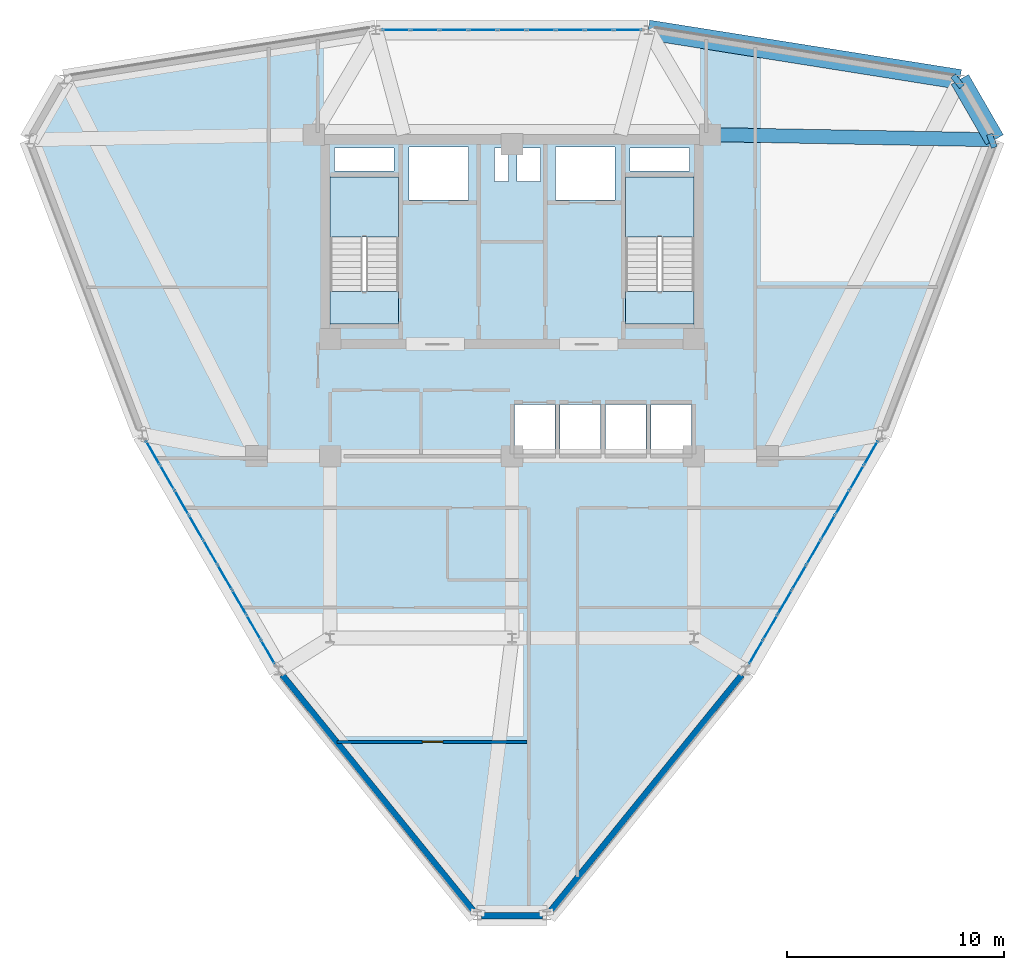
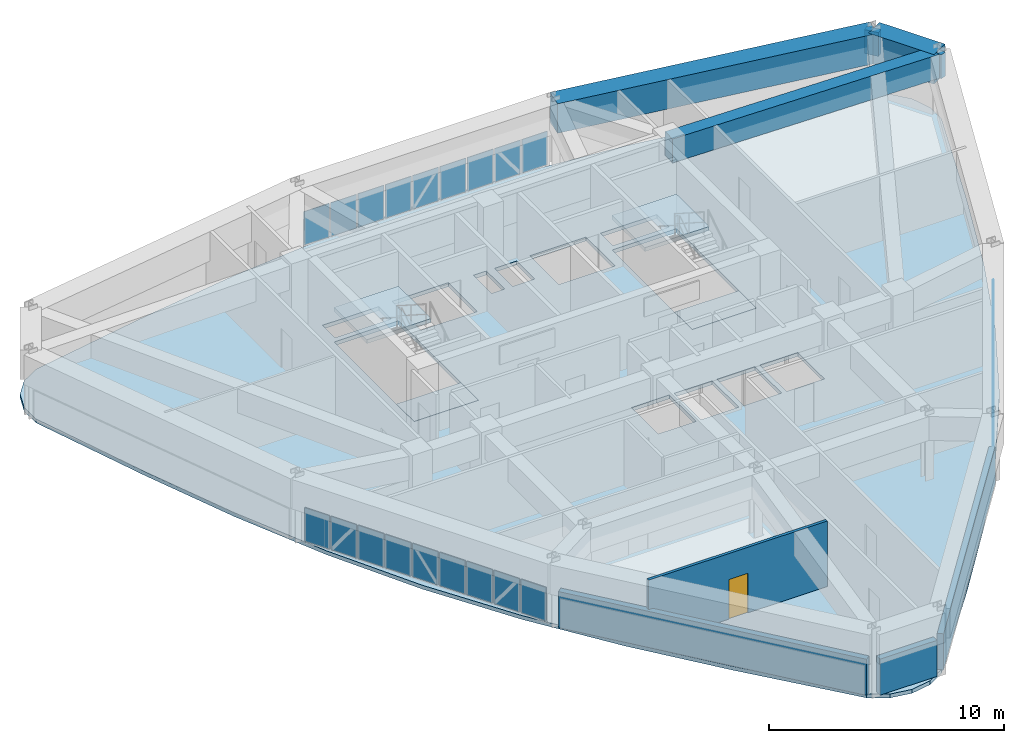
# One storey, part 9 of 14: 27 plates, 5 beams, 5 slabs, 4 walls, 1 door, 1 opening, 5 elements without a shape of their own.
"""IFC4 building model written with IfcOpenShell, lengths in metres."""

from ifc_helpers import new_model, si_unit, derived_unit, direction, frame, frame_2d, origin, origin_2d, place, context, subcontext, project, spatial, polyline, rectangle, outline, extrude, source, transform, mapped, material, layer, layer_set, material_profile, profile_set, type_object, element, fill, aggregate, save


model = new_model("IFC4")

# Units and contexts
model_context = context("Model", 3, precision=1e-05, world=origin(), true_north=direction((0.0, 1.0)))
body_context = subcontext(model_context, "Body", "Model", "MODEL_VIEW")
ifc_project = project(units=[si_unit("LENGTHUNIT", "METRE"), si_unit("AREAUNIT", "SQUARE_METRE"), si_unit("VOLUMEUNIT", "CUBIC_METRE"), si_unit("PLANEANGLEUNIT", "RADIAN"), si_unit("MASSUNIT", "GRAM", prefix="KILO"), derived_unit("THERMALTRANSMITTANCEUNIT", [(si_unit("POWERUNIT", "WATT"), 1), (si_unit("LENGTHUNIT", "METRE"), -2), (si_unit("THERMODYNAMICTEMPERATUREUNIT", "KELVIN"), -1)])], contexts=[model_context])

# Site, building, storey
site_placement = place(None, origin())
site = spatial("IfcSite", under=ifc_project, at=site_placement, CompositionType="ELEMENT")
building_placement = place(site_placement, origin())
building = spatial("IfcBuilding", under=site, at=building_placement, Name="Korsvarv Bourse and Concert Hall", CompositionType="ELEMENT")
storey_placement = place(building_placement, frame((0.0, 0.0, 186.60009765625)))
storey = spatial("IfcBuildingStorey", under=building, at=storey_placement, Name="L48", CompositionType="ELEMENT", Elevation=186.60009765625)

# Beams
ifc_material_1 = material(Name="Concrete C50/60", Category="concrete")
ifc_material_profile_1 = material_profile(ifc_material_1, rectangle(XDim=0.919921875, YDim=1.530029296875, at=origin_2d()), Name="RC-BM 920x1530")
ifc_profile_set_1 = profile_set([ifc_material_profile_1], Name="Concrete C50/60")
beam_type_1 = type_object("IfcBeamType", Name="BM-TR-154", PredefinedType="BEAM", material=ifc_profile_set_1)
shared_shape_1 = source(origin(), body_context, "Body", "SweptSolid", [
    extrude(rectangle(XDim=0.919921875, YDim=1.530029296875, at=origin_2d()), origin(), (0.0, 0.0, 1.0), 3.21533203125),
])
beam_1_placement = place(storey_placement, frame((58.290283203125, 47.012939453125, 2.635009765625), z_axis=(-0.49998535512, 0.866033858845, 0.0), x_axis=(-0.866033858845, -0.49998535512, 0.0)))
element("IfcBeam", 1, at=beam_1_placement, inside=storey, type_object=beam_type_1, Name="L48 beam B-TR6", PredefinedType="BEAM", context=body_context, shape_type="MappedRepresentation", body=[
    mapped(shared_shape_1, transform((0.0, 0.0, 0.0), scale=1.0)),
])
shared_shape_2 = source(origin(), body_context, "Body", "SweptSolid", [
    extrude(rectangle(XDim=0.919921875, YDim=1.530029296875, at=origin_2d()), origin(), (0.0, 0.0, 1.0), 14.573486328125),
])
beam_2_placement = place(storey_placement, frame((56.6826171875, 49.797607421875, 2.635009765625), z_axis=(-0.987635363781, 0.156768581702, 0.0), x_axis=(-0.156768581702, -0.987635363781, 0.0)))
element("IfcBeam", 2, at=beam_2_placement, inside=storey, type_object=beam_type_1, Name="L48 beam B-TR6", PredefinedType="BEAM", context=body_context, shape_type="MappedRepresentation", body=[
    mapped(shared_shape_2, transform((0.0, 0.0, 0.0), scale=1.0)),
])
ifc_material_profile_2 = material_profile(ifc_material_1, rectangle(XDim=0.64990234375, YDim=1.239990234375, at=origin_2d()), Name="RC-BM 650x1240")
ifc_profile_set_2 = profile_set([ifc_material_profile_2], Name="Concrete C50/60")
beam_type_2 = type_object("IfcBeamType", Name="BM-TR-SPN", PredefinedType="BEAM", material=ifc_profile_set_2)
shared_shape_3 = source(origin(), body_context, "Body", "SweptSolid", [
    extrude(rectangle(XDim=0.64990234375, YDim=1.239990234375, at=origin_2d()), origin(), (0.0, 0.0, 1.0), 13.142578125),
])
beam_3_placement = place(storey_placement, frame((58.290283203125, 47.012939453125, 2.77978515625), z_axis=(-0.999837307824, 0.01803767954, 0.0), x_axis=(-0.01803767954, -0.999837307824, 0.0)))
element("IfcBeam", 3, at=beam_3_placement, inside=storey, type_object=beam_type_2, Name="L48 beam B-TRS", PredefinedType="BEAM", context=body_context, shape_type="MappedRepresentation", body=[
    mapped(shared_shape_3, transform((0.0, 0.0, 0.0), scale=1.0)),
])
shared_shape_4 = source(origin(), body_context, "Body", "SweptSolid", [
    extrude(rectangle(XDim=0.64990234375, YDim=1.239990234375, at=origin_2d()), origin(), (0.0, 0.0, 1.0), 0.27880859375),
])
for number, where, z_axis, x_axis, name in (
    (4, (58.290283203125, 47.012939453125, 2.77978515625), (-0.932644158407, -0.36079755236, 0.0), (0.36079755236, -0.932644158407, 0.0), "L48 beam B-TRS"),
    (5, (56.6826171875, 49.797607421875, 2.77978515625), (-0.778385435502, -0.627786678577, 0.0), (0.627786678577, -0.778385435502, 0.0), "L48 beam B-TRS"),
):
    element("IfcBeam", number, at=place(storey_placement, frame(where, z_axis=z_axis, x_axis=x_axis)), inside=storey, type_object=beam_type_2, Name=name, PredefinedType="BEAM", context=body_context, shape_type="MappedRepresentation", body=[
        mapped(shared_shape_4, transform((0.0, 0.0, 0.0), scale=1.0)),
    ])

# Slabs
ifc_material_2 = material(Name="Precast concrete C45/55", Category="concrete")
ifc_layer_1 = layer(ifc_material_2, 0.199951171875)
ifc_layer_set_1 = layer_set([ifc_layer_1], Name="Precast concrete C45/55")
slab_type_1 = type_object("IfcSlabType", Name="SLB-FLND-T", PredefinedType="LANDING", material=ifc_layer_set_1)
slab_1_placement = place(storey_placement, frame((0.0, 0.0, -0.2001953125)))
element("IfcSlab", 6, at=slab_1_placement, inside=storey, type_object=slab_type_1, Name="L48 Stair ST-T1 Floor Landing Slab", PredefinedType="LANDING", context=body_context, shape_type="SweptSolid", body=[
    extrude(outline(polyline([(30.760009765625, 38.5), (30.760009765625, 40.0), (27.60009765625, 40.0), (27.60009765625, 38.5), (30.760009765625, 38.5)])), origin(), (0.0, 0.0, 1.0), 0.2001953125),
])
slab_2_placement = place(storey_placement, frame((0.0, 0.0, -0.2001953125)))
element("IfcSlab", 7, at=slab_2_placement, inside=storey, type_object=slab_type_1, Name="L48 Stair ST-T2 Floor Landing Slab", PredefinedType="LANDING", context=body_context, shape_type="SweptSolid", body=[
    extrude(outline(polyline([(44.39990234375, 38.5), (44.39990234375, 40.0), (41.239990234375, 40.0), (41.239990234375, 38.5), (44.39990234375, 38.5)])), origin(), (0.0, 0.0, 1.0), 0.2001953125),
])

# Stair, slab
stair_type = type_object("IfcStairType", Name="STR-TYPE-04", PredefinedType="HALF_TURN_STAIR", material=ifc_material_2)
stair_1_placement = place(storey_placement, origin())
stair_1 = element("IfcStair", 8, at=stair_1_placement, inside=storey, type_object=stair_type, Name="L48 Tower West Exit Stair ST-T1", PredefinedType="HALF_TURN_STAIR")
ifc_layer_2 = layer(ifc_material_2, 0.199951171875)
ifc_layer_set_2 = layer_set([ifc_layer_2], Name="Precast concrete C45/55")
slab_type_2 = type_object("IfcSlabType", Name="SLB-ST-LND", PredefinedType="LANDING", material=ifc_layer_set_2)
slab_3_placement = place(storey_placement, frame((0.0, 0.0, 1.599853515625)))
slab_3 = element("IfcSlab", 9, at=slab_3_placement, type_object=slab_type_2, Name="ST-T1 landing 1", PredefinedType="LANDING", context=body_context, shape_type="SweptSolid", body=[
    extrude(outline(polyline([(30.760009765625, 42.52001953125), (30.760009765625, 45.300048828125), (27.60009765625, 45.300048828125), (27.60009765625, 42.52001953125), (30.760009765625, 42.52001953125)])), origin(), (0.0, 0.0, 1.0), 0.199951171875),
])
aggregate(stair_1, [slab_3])

stair_2_placement = place(storey_placement, origin())
stair_2 = element("IfcStair", 10, at=stair_2_placement, inside=storey, type_object=stair_type, Name="L48 Tower East Exit Stair ST-T2", PredefinedType="HALF_TURN_STAIR")
slab_4_placement = place(storey_placement, frame((0.0, 0.0, 1.599853515625)))
slab_4 = element("IfcSlab", 11, at=slab_4_placement, type_object=slab_type_2, Name="ST-T2 landing 1", PredefinedType="LANDING", context=body_context, shape_type="SweptSolid", body=[
    extrude(outline(polyline([(44.39990234375, 42.52001953125), (44.39990234375, 45.300048828125), (41.239990234375, 45.300048828125), (41.239990234375, 42.52001953125), (44.39990234375, 42.52001953125)])), origin(), (0.0, 0.0, 1.0), 0.199951171875),
])
aggregate(stair_2, [slab_4])

# Slab
ifc_material_3 = material(Name="Concrete C45/55", Category="concrete")
ifc_layer_3 = layer(ifc_material_3, 0.199951171875)
ifc_layer_set_3 = layer_set([ifc_layer_3], Name="Concrete C45/55")
slab_type_3 = type_object("IfcSlabType", Name="SLB-TW2", PredefinedType="FLOOR", material=ifc_layer_set_3)
slab_5_placement = place(storey_placement, frame((0.0, 0.0, -0.2001953125)))
element("IfcSlab", 12, at=slab_5_placement, inside=storey, type_object=slab_type_3, Name="L48 tower structural floor slab", PredefinedType="FLOOR", context=body_context, shape_type="SweptSolid", body=[
    extrude(outline(polyline([(57.82861328125, 45.6220703125), (56.160888671875, 40.9970703125), (54.38720703125, 36.45849609375), (52.40966796875, 32.057373046875), (50.16259765625, 27.8232421875), (47.619140625, 23.76025390625), (44.79638671875, 19.84716796875), (41.7529296875, 16.04150390625), (38.581298828125, 12.284912109375), (38.57958984375, 12.282958984375), (37.840576171875, 11.402099609375), (36.9794921875, 10.905029296875), (36.0, 10.732421875), (35.0205078125, 10.905029296875), (34.159423828125, 11.402099609375), (33.42041015625, 12.282958984375), (33.418701171875, 12.284912109375), (30.2470703125, 16.04150390625), (27.20361328125, 19.84716796875), (24.380859375, 23.76025390625), (21.83740234375, 27.8232421875), (19.59033203125, 32.057373046875), (17.61279296875, 36.45849609375), (15.839111328125, 40.9970703125), (14.17138671875, 45.6220703125), (14.170654296875, 45.62451171875), (13.77734375, 46.704833984375), (13.77734375, 47.699462890625), (14.117431640625, 48.6337890625), (14.7568359375, 49.395751953125), (15.617919921875, 49.892822265625), (16.75, 50.092529296875), (16.752685546875, 50.093017578125), (21.591796875, 50.96142578125), (26.409423828125, 51.6943359375), (31.209716796875, 52.1826171875), (36.0, 52.353515625), (40.790283203125, 52.1826171875), (45.590576171875, 51.6943359375), (50.408203125, 50.96142578125), (55.247314453125, 50.093017578125), (55.25, 50.092529296875), (56.382080078125, 49.892822265625), (57.2431640625, 49.395751953125), (57.882568359375, 48.6337890625), (58.22265625, 47.699462890625), (58.22265625, 46.704833984375), (57.829345703125, 45.62451171875), (57.82861328125, 45.6220703125)]), holes=[polyline([(30.760009765625, 38.5), (30.760009765625, 45.300048828125), (27.60009765625, 45.300048828125), (27.60009765625, 38.5), (30.760009765625, 38.5)]), polyline([(44.39990234375, 38.5), (44.39990234375, 45.300048828125), (41.239990234375, 45.300048828125), (41.239990234375, 38.5), (44.39990234375, 38.5)]), polyline([(31.239990234375, 44.219970703125), (34.0, 44.219970703125), (34.0, 46.679931640625), (31.239990234375, 46.679931640625), (31.239990234375, 44.219970703125)]), polyline([(38.0, 44.219970703125), (40.760009765625, 44.219970703125), (40.760009765625, 46.679931640625), (38.0, 46.679931640625), (38.0, 44.219970703125)]), polyline([(36.1201171875, 32.52001953125), (37.97998046875, 32.52001953125), (37.97998046875, 34.780029296875), (36.1201171875, 34.780029296875), (36.1201171875, 32.52001953125)]), polyline([(38.219970703125, 32.52001953125), (40.080078125, 32.52001953125), (40.080078125, 34.780029296875), (38.219970703125, 34.780029296875), (38.219970703125, 32.52001953125)]), polyline([(40.320068359375, 32.52001953125), (42.179931640625, 32.52001953125), (42.179931640625, 34.780029296875), (40.320068359375, 34.780029296875), (40.320068359375, 32.52001953125)]), polyline([(42.419921875, 32.52001953125), (44.280029296875, 32.52001953125), (44.280029296875, 34.780029296875), (42.419921875, 34.780029296875), (42.419921875, 32.52001953125)]), polyline([(27.800048828125, 45.56005859375), (30.56005859375, 45.56005859375), (30.56005859375, 46.6201171875), (27.800048828125, 46.6201171875), (27.800048828125, 45.56005859375)]), polyline([(41.43994140625, 45.56005859375), (44.199951171875, 45.56005859375), (44.199951171875, 46.6201171875), (41.43994140625, 46.6201171875), (41.43994140625, 45.56005859375)]), polyline([(35.199951171875, 45.080078125), (35.840087890625, 45.080078125), (35.840087890625, 46.6201171875), (35.199951171875, 46.6201171875), (35.199951171875, 45.080078125)]), polyline([(36.239990234375, 45.080078125), (37.320068359375, 45.080078125), (37.320068359375, 46.6201171875), (36.239990234375, 46.6201171875), (36.239990234375, 45.080078125)])]), origin(), (0.0, 0.0, 1.0), 0.2001953125),
])

# Curtain wall, plates
ifc_material_4 = material(Name="Anodised aluminium and triple low-E glazing", Category="glass")
ifc_layer_4 = layer(ifc_material_4, 0.199951171875)
ifc_layer_set_4 = layer_set([ifc_layer_4], Name="Anodised aluminium and triple low-E glazing")
curtain_wall_type = type_object("IfcCurtainWallType", Name="CW-SYS-3", PredefinedType="NOTDEFINED", material=ifc_layer_set_4)
curtain_wall_1_placement = place(storey_placement, origin())
curtain_wall_1 = element("IfcCurtainWall", 13, at=curtain_wall_1_placement, inside=storey, type_object=curtain_wall_type, Name="L48 CW3 curtain wall CW-L48-F03", PredefinedType="NOTDEFINED")
ifc_material_5 = material(Name="Tempered triple insulated low-E architectural glass", Category="glass")
ifc_layer_5 = layer(ifc_material_5, 0.0380859375)
ifc_layer_set_5 = layer_set([ifc_layer_5], Name="Tempered triple insulated low-E architectural glass")
plate_type_1 = type_object("IfcPlateType", Name="CWP-VIS2", PredefinedType="CURTAIN_PANEL", material=ifc_layer_set_5)
shared_shape_5 = source(origin(), body_context, "Body", "SweptSolid", [
    extrude(rectangle(XDim=1.236328125, YDim=0.0380859375, at=origin_2d()), origin(), (0.0, 0.0, 1.0), 1.739990234375),
])
plate_1_placement = place(storey_placement, frame((41.34814453125, 52.082275390625, 0.06494140625), z_axis=(0.0, 0.0, 1.0), x_axis=(-1.0, 0.0, 0.0)))
plate_1 = element("IfcPlate", 14, at=plate_1_placement, type_object=plate_type_1, Name="CW3 faceted panel 1.1", PredefinedType="CURTAIN_PANEL", context=body_context, shape_type="MappedRepresentation", body=[
    mapped(shared_shape_5, transform((0.0, 0.0, 0.0), scale=1.0)),
])
plate_2_placement = place(storey_placement, frame((30.65185546875, 52.082275390625, 0.06494140625), z_axis=(0.0, 0.0, 1.0), x_axis=(-1.0, 0.0, 0.0)))
plate_2 = element("IfcPlate", 15, at=plate_2_placement, type_object=plate_type_1, Name="CW3 faceted panel 9.1", PredefinedType="CURTAIN_PANEL", context=body_context, shape_type="MappedRepresentation", body=[
    mapped(shared_shape_5, transform((0.0, 0.0, 0.0), scale=1.0)),
])
ifc_material_6 = material(Name="Insulated spandrel glass", Category="glass")
ifc_layer_6 = layer(ifc_material_6, 0.031982421875)
ifc_layer_set_6 = layer_set([ifc_layer_6], Name="Insulated spandrel glass")
plate_type_2 = type_object("IfcPlateType", Name="CWP-SPD1", PredefinedType="CURTAIN_PANEL", material=ifc_layer_set_6)
shared_shape_6 = source(origin(), body_context, "Body", "SweptSolid", [
    extrude(rectangle(XDim=1.271484375, YDim=0.031982421875, at=origin_2d()), origin(), (0.0, 0.0, 1.0), 1.739990234375),
])
plate_3_placement = place(storey_placement, frame((40.024169921875, 52.082275390625, 0.06494140625), z_axis=(0.0, 0.0, 1.0), x_axis=(-1.0, 0.0, 0.0)))
plate_3 = element("IfcPlate", 16, at=plate_3_placement, type_object=plate_type_2, Name="CW3 spandrel shadow-box panel 2.1", PredefinedType="CURTAIN_PANEL", context=body_context, shape_type="MappedRepresentation", body=[
    mapped(shared_shape_6, transform((0.0, 0.0, 0.0), scale=1.0)),
])
plate_4_placement = place(storey_placement, frame((36.0, 52.082275390625, 0.06494140625), z_axis=(0.0, 0.0, 1.0), x_axis=(-1.0, 0.0, 0.0)))
plate_4 = element("IfcPlate", 17, at=plate_4_placement, type_object=plate_type_2, Name="CW3 spandrel shadow-box panel 5.1", PredefinedType="CURTAIN_PANEL", context=body_context, shape_type="MappedRepresentation", body=[
    mapped(shared_shape_6, transform((0.0, 0.0, 0.0), scale=1.0)),
])
plate_5_placement = place(storey_placement, frame((31.975830078125, 52.082275390625, 0.06494140625), z_axis=(0.0, 0.0, 1.0), x_axis=(-1.0, 0.0, 0.0)))
plate_5 = element("IfcPlate", 18, at=plate_5_placement, type_object=plate_type_2, Name="CW3 spandrel shadow-box panel 8.1", PredefinedType="CURTAIN_PANEL", context=body_context, shape_type="MappedRepresentation", body=[
    mapped(shared_shape_6, transform((0.0, 0.0, 0.0), scale=1.0)),
])
shared_shape_7 = source(origin(), body_context, "Body", "SweptSolid", [
    extrude(rectangle(XDim=1.271484375, YDim=0.0380859375, at=origin_2d()), origin(), (0.0, 0.0, 1.0), 1.739990234375),
])
plate_6_placement = place(storey_placement, frame((38.682861328125, 52.082275390625, 0.06494140625), z_axis=(0.0, 0.0, 1.0), x_axis=(-1.0, 0.0, 0.0)))
plate_6 = element("IfcPlate", 19, at=plate_6_placement, type_object=plate_type_1, Name="CW3 faceted panel 3.1", PredefinedType="CURTAIN_PANEL", context=body_context, shape_type="MappedRepresentation", body=[
    mapped(shared_shape_7, transform((0.0, 0.0, 0.0), scale=1.0)),
])
plate_7_placement = place(storey_placement, frame((37.34130859375, 52.082275390625, 0.06494140625), z_axis=(0.0, 0.0, 1.0), x_axis=(-1.0, 0.0, 0.0)))
plate_7 = element("IfcPlate", 20, at=plate_7_placement, type_object=plate_type_1, Name="CW3 faceted panel 4.1", PredefinedType="CURTAIN_PANEL", context=body_context, shape_type="MappedRepresentation", body=[
    mapped(shared_shape_7, transform((0.0, 0.0, 0.0), scale=1.0)),
])
plate_8_placement = place(storey_placement, frame((34.65869140625, 52.082275390625, 0.06494140625), z_axis=(0.0, 0.0, 1.0), x_axis=(-1.0, 0.0, 0.0)))
plate_8 = element("IfcPlate", 21, at=plate_8_placement, type_object=plate_type_1, Name="CW3 faceted panel 6.1", PredefinedType="CURTAIN_PANEL", context=body_context, shape_type="MappedRepresentation", body=[
    mapped(shared_shape_7, transform((0.0, 0.0, 0.0), scale=1.0)),
])
plate_9_placement = place(storey_placement, frame((33.317138671875, 52.082275390625, 0.06494140625), z_axis=(0.0, 0.0, 1.0), x_axis=(-1.0, 0.0, 0.0)))
plate_9 = element("IfcPlate", 22, at=plate_9_placement, type_object=plate_type_1, Name="CW3 faceted panel 7.1", PredefinedType="CURTAIN_PANEL", context=body_context, shape_type="MappedRepresentation", body=[
    mapped(shared_shape_7, transform((0.0, 0.0, 0.0), scale=1.0)),
])
aggregate(curtain_wall_1, [plate_1, plate_3, plate_6, plate_7, plate_4, plate_8, plate_9, plate_5, plate_2])

curtain_wall_2_placement = place(storey_placement, origin())
curtain_wall_2 = element("IfcCurtainWall", 23, at=curtain_wall_2_placement, inside=storey, type_object=curtain_wall_type, Name="L48 CW3 curtain wall CW-L48-F07", PredefinedType="NOTDEFINED")
shared_shape_8 = source(origin(), body_context, "Body", "SweptSolid", [
    extrude(rectangle(XDim=1.226318359375, YDim=0.0380859375, at=origin_2d()), origin(), (0.0, 0.0, 1.0), 1.739990234375),
])
plate_10_placement = place(storey_placement, frame((19.418212890625, 32.555908203125, 0.06494140625), z_axis=(0.0, 0.0, 1.0), x_axis=(0.499994073747, -0.866028825281, 0.0)))
plate_10 = element("IfcPlate", 24, at=plate_10_placement, type_object=plate_type_1, Name="CW3 faceted panel 1.1", PredefinedType="CURTAIN_PANEL", context=body_context, shape_type="MappedRepresentation", body=[
    mapped(shared_shape_8, transform((0.0, 0.0, 0.0), scale=1.0)),
])
plate_11_placement = place(storey_placement, frame((24.726318359375, 23.36181640625, 0.06494140625), z_axis=(0.0, 0.0, 1.0), x_axis=(0.499994073747, -0.866028825281, 0.0)))
plate_11 = element("IfcPlate", 25, at=plate_11_placement, type_object=plate_type_1, Name="CW3 faceted panel 9.1", PredefinedType="CURTAIN_PANEL", context=body_context, shape_type="MappedRepresentation", body=[
    mapped(shared_shape_8, transform((0.0, 0.0, 0.0), scale=1.0)),
])

curtain_wall_3_placement = place(storey_placement, origin())
curtain_wall_3 = element("IfcCurtainWall", 26, at=curtain_wall_3_placement, inside=storey, type_object=curtain_wall_type, Name="L48 CW3 curtain wall CW-L48-F11", PredefinedType="NOTDEFINED")
plate_12_placement = place(storey_placement, frame((47.273681640625, 23.36181640625, 0.06494140625), z_axis=(0.0, 0.0, 1.0), x_axis=(0.499994073747, 0.866028825281, 0.0)))
plate_12 = element("IfcPlate", 27, at=plate_12_placement, type_object=plate_type_1, Name="CW3 faceted panel 1.1", PredefinedType="CURTAIN_PANEL", context=body_context, shape_type="MappedRepresentation", body=[
    mapped(shared_shape_8, transform((0.0, 0.0, 0.0), scale=1.0)),
])
plate_13_placement = place(storey_placement, frame((52.581787109375, 32.555908203125, 0.06494140625), z_axis=(0.0, 0.0, 1.0), x_axis=(0.499994073747, 0.866028825281, 0.0)))
plate_13 = element("IfcPlate", 28, at=plate_13_placement, type_object=plate_type_1, Name="CW3 faceted panel 9.1", PredefinedType="CURTAIN_PANEL", context=body_context, shape_type="MappedRepresentation", body=[
    mapped(shared_shape_8, transform((0.0, 0.0, 0.0), scale=1.0)),
])

# Plate
shared_shape_9 = source(origin(), body_context, "Body", "SweptSolid", [
    extrude(rectangle(XDim=1.261474609375, YDim=0.031982421875, at=origin_2d()), origin(), (0.0, 0.0, 1.0), 1.739990234375),
])
plate_14_placement = place(storey_placement, frame((20.0751953125, 31.41796875, 0.06494140625), z_axis=(0.0, 0.0, 1.0), x_axis=(0.499994073747, -0.866028825281, 0.0)))
plate_14 = element("IfcPlate", 29, at=plate_14_placement, type_object=plate_type_2, Name="CW3 spandrel shadow-box panel 2.1", PredefinedType="CURTAIN_PANEL", context=body_context, shape_type="MappedRepresentation", body=[
    mapped(shared_shape_9, transform((0.0, 0.0, 0.0), scale=1.0)),
])

plate_15_placement = place(storey_placement, frame((22.072265625, 27.958740234375, 0.06494140625), z_axis=(0.0, 0.0, 1.0), x_axis=(0.499994073747, -0.866028825281, 0.0)))
plate_15 = element("IfcPlate", 30, at=plate_15_placement, type_object=plate_type_2, Name="CW3 spandrel shadow-box panel 5.1", PredefinedType="CURTAIN_PANEL", context=body_context, shape_type="MappedRepresentation", body=[
    mapped(shared_shape_9, transform((0.0, 0.0, 0.0), scale=1.0)),
])

plate_16_placement = place(storey_placement, frame((24.0693359375, 24.499755859375, 0.06494140625), z_axis=(0.0, 0.0, 1.0), x_axis=(0.499994073747, -0.866028825281, 0.0)))
plate_16 = element("IfcPlate", 31, at=plate_16_placement, type_object=plate_type_2, Name="CW3 spandrel shadow-box panel 8.1", PredefinedType="CURTAIN_PANEL", context=body_context, shape_type="MappedRepresentation", body=[
    mapped(shared_shape_9, transform((0.0, 0.0, 0.0), scale=1.0)),
])

plate_17_placement = place(storey_placement, frame((47.9306640625, 24.499755859375, 0.06494140625), z_axis=(0.0, 0.0, 1.0), x_axis=(0.499994073747, 0.866028825281, 0.0)))
plate_17 = element("IfcPlate", 32, at=plate_17_placement, type_object=plate_type_2, Name="CW3 spandrel shadow-box panel 2.1", PredefinedType="CURTAIN_PANEL", context=body_context, shape_type="MappedRepresentation", body=[
    mapped(shared_shape_9, transform((0.0, 0.0, 0.0), scale=1.0)),
])

plate_18_placement = place(storey_placement, frame((49.927734375, 27.958740234375, 0.06494140625), z_axis=(0.0, 0.0, 1.0), x_axis=(0.499994073747, 0.866028825281, 0.0)))
plate_18 = element("IfcPlate", 33, at=plate_18_placement, type_object=plate_type_2, Name="CW3 spandrel shadow-box panel 5.1", PredefinedType="CURTAIN_PANEL", context=body_context, shape_type="MappedRepresentation", body=[
    mapped(shared_shape_9, transform((0.0, 0.0, 0.0), scale=1.0)),
])

plate_19_placement = place(storey_placement, frame((51.9248046875, 31.41796875, 0.06494140625), z_axis=(0.0, 0.0, 1.0), x_axis=(0.499994073747, 0.866028825281, 0.0)))
plate_19 = element("IfcPlate", 34, at=plate_19_placement, type_object=plate_type_2, Name="CW3 spandrel shadow-box panel 8.1", PredefinedType="CURTAIN_PANEL", context=body_context, shape_type="MappedRepresentation", body=[
    mapped(shared_shape_9, transform((0.0, 0.0, 0.0), scale=1.0)),
])

shared_shape_10 = source(origin(), body_context, "Body", "SweptSolid", [
    extrude(rectangle(XDim=1.261474609375, YDim=0.0380859375, at=origin_2d()), origin(), (0.0, 0.0, 1.0), 1.739990234375),
])
plate_20_placement = place(storey_placement, frame((20.740966796875, 30.264892578125, 0.06494140625), z_axis=(0.0, 0.0, 1.0), x_axis=(0.499994073747, -0.866028825281, 0.0)))
plate_20 = element("IfcPlate", 35, at=plate_20_placement, type_object=plate_type_1, Name="CW3 faceted panel 3.1", PredefinedType="CURTAIN_PANEL", context=body_context, shape_type="MappedRepresentation", body=[
    mapped(shared_shape_10, transform((0.0, 0.0, 0.0), scale=1.0)),
])

plate_21_placement = place(storey_placement, frame((21.406494140625, 29.11181640625, 0.06494140625), z_axis=(0.0, 0.0, 1.0), x_axis=(0.499994073747, -0.866028825281, 0.0)))
plate_21 = element("IfcPlate", 36, at=plate_21_placement, type_object=plate_type_1, Name="CW3 faceted panel 4.1", PredefinedType="CURTAIN_PANEL", context=body_context, shape_type="MappedRepresentation", body=[
    mapped(shared_shape_10, transform((0.0, 0.0, 0.0), scale=1.0)),
])

plate_22_placement = place(storey_placement, frame((22.738037109375, 26.8056640625, 0.06494140625), z_axis=(0.0, 0.0, 1.0), x_axis=(0.499994073747, -0.866028825281, 0.0)))
plate_22 = element("IfcPlate", 37, at=plate_22_placement, type_object=plate_type_1, Name="CW3 faceted panel 6.1", PredefinedType="CURTAIN_PANEL", context=body_context, shape_type="MappedRepresentation", body=[
    mapped(shared_shape_10, transform((0.0, 0.0, 0.0), scale=1.0)),
])

plate_23_placement = place(storey_placement, frame((23.403564453125, 25.65283203125, 0.06494140625), z_axis=(0.0, 0.0, 1.0), x_axis=(0.499994073747, -0.866028825281, 0.0)))
plate_23 = element("IfcPlate", 38, at=plate_23_placement, type_object=plate_type_1, Name="CW3 faceted panel 7.1", PredefinedType="CURTAIN_PANEL", context=body_context, shape_type="MappedRepresentation", body=[
    mapped(shared_shape_10, transform((0.0, 0.0, 0.0), scale=1.0)),
])

aggregate(curtain_wall_2, [plate_10, plate_14, plate_20, plate_21, plate_15, plate_22, plate_23, plate_16, plate_11])

plate_24_placement = place(storey_placement, frame((48.596435546875, 25.65283203125, 0.06494140625), z_axis=(0.0, 0.0, 1.0), x_axis=(0.499994073747, 0.866028825281, 0.0)))
plate_24 = element("IfcPlate", 39, at=plate_24_placement, type_object=plate_type_1, Name="CW3 faceted panel 3.1", PredefinedType="CURTAIN_PANEL", context=body_context, shape_type="MappedRepresentation", body=[
    mapped(shared_shape_10, transform((0.0, 0.0, 0.0), scale=1.0)),
])

plate_25_placement = place(storey_placement, frame((49.261962890625, 26.8056640625, 0.06494140625), z_axis=(0.0, 0.0, 1.0), x_axis=(0.499994073747, 0.866028825281, 0.0)))
plate_25 = element("IfcPlate", 40, at=plate_25_placement, type_object=plate_type_1, Name="CW3 faceted panel 4.1", PredefinedType="CURTAIN_PANEL", context=body_context, shape_type="MappedRepresentation", body=[
    mapped(shared_shape_10, transform((0.0, 0.0, 0.0), scale=1.0)),
])

plate_26_placement = place(storey_placement, frame((50.593505859375, 29.11181640625, 0.06494140625), z_axis=(0.0, 0.0, 1.0), x_axis=(0.499994073747, 0.866028825281, 0.0)))
plate_26 = element("IfcPlate", 41, at=plate_26_placement, type_object=plate_type_1, Name="CW3 faceted panel 6.1", PredefinedType="CURTAIN_PANEL", context=body_context, shape_type="MappedRepresentation", body=[
    mapped(shared_shape_10, transform((0.0, 0.0, 0.0), scale=1.0)),
])

plate_27_placement = place(storey_placement, frame((51.259033203125, 30.264892578125, 0.06494140625), z_axis=(0.0, 0.0, 1.0), x_axis=(0.499994073747, 0.866028825281, 0.0)))
plate_27 = element("IfcPlate", 42, at=plate_27_placement, type_object=plate_type_1, Name="CW3 faceted panel 7.1", PredefinedType="CURTAIN_PANEL", context=body_context, shape_type="MappedRepresentation", body=[
    mapped(shared_shape_10, transform((0.0, 0.0, 0.0), scale=1.0)),
])

aggregate(curtain_wall_3, [plate_12, plate_17, plate_24, plate_25, plate_18, plate_26, plate_27, plate_19, plate_13])

# Walls
ifc_material_7 = material(Name="Precast concrete C45/55 with terracotta rainscreen", Category="concrete")
ifc_layer_7 = layer(ifc_material_7, 0.300048828125)
ifc_layer_set_7 = layer_set([ifc_layer_7], Name="Precast concrete C45/55 with terracotta rainscreen")
wall_type_1 = type_object("IfcWallType", Name="WL-EXT-TC1", PredefinedType="SOLIDWALL", material=ifc_layer_set_7)
wall_1_placement = place(storey_placement, frame((34.600341796875, 11.189453125, 0.0), z_axis=(0.0, 0.0, 1.0), x_axis=(1.0, 0.0, 0.0)))
element("IfcWall", 43, at=wall_1_placement, inside=storey, type_object=wall_type_1, Name="L48 terracotta exterior wall EW-L48-B09", PredefinedType="SOLIDWALL", context=body_context, shape_type="SweptSolid", body=[
    extrude(rectangle(XDim=2.79931640625, YDim=0.300048828125, at=frame_2d((1.399658203125, 0.0))), origin(), (0.0, 0.0, 1.0), 1.869873046875),
])
ifc_material_8 = material(Name="Precast concrete C45/55 with fluted terracotta pier", Category="concrete")
ifc_layer_8 = layer(ifc_material_8, 0.280029296875)
ifc_layer_set_8 = layer_set([ifc_layer_8], Name="Precast concrete C45/55 with fluted terracotta pier")
wall_type_2 = type_object("IfcWallType", Name="WL-EXT-TC2", PredefinedType="SOLIDWALL", material=ifc_layer_set_8)
for number, where, z_axis, x_axis, name in (
    (44, (25.389404296875, 22.299072265625, 0.0), (0.0, 0.0, 1.0), (0.629601252026, -0.776918440666, 0.0), "L48 terracotta exterior wall EW-L48-B08"),
    (45, (37.7802734375, 11.402587890625, 0.0), (0.0, 0.0, 1.0), (0.629601252026, 0.776918440666, 0.0), "L48 terracotta exterior wall EW-L48-B10"),
):
    element("IfcWall", number, at=place(storey_placement, frame(where, z_axis=z_axis, x_axis=x_axis)), inside=storey, type_object=wall_type_2, Name=name, PredefinedType="SOLIDWALL", context=body_context, shape_type="SweptSolid", body=[
        extrude(rectangle(XDim=14.025146484375, YDim=0.280029296875, at=frame_2d((7.0126953125, 0.0))), origin(), (0.0, 0.0, 1.0), 1.869873046875),
    ])

# Wall, opening, door
ifc_material_9 = material(Name="Insulated steel-stud office acoustic partition", Category="gypsum")
ifc_layer_9 = layer(ifc_material_9, 0.139892578125)
ifc_layer_set_9 = layer_set([ifc_layer_9], Name="Insulated steel-stud office acoustic partition")
wall_type_3 = type_object("IfcWallType", Name="WL-INT-P1", PredefinedType="PARTITIONING", material=ifc_layer_set_9)
wall_2_placement = place(storey_placement, frame((27.916748046875, 19.205078125, 0.0), z_axis=(0.0, 0.0, 1.0), x_axis=(1.0, 0.0, 0.0)))
wall_2 = element("IfcWall", 46, at=wall_2_placement, inside=storey, type_object=wall_type_3, Name="L48 interior partition wall W-L48-TCOR-13", PredefinedType="PARTITIONING", context=body_context, shape_type="SweptSolid", body=[
    extrude(rectangle(XDim=8.7763671875, YDim=0.139892578125, at=frame_2d((4.38818359375, 0.0))), origin(), (0.0, 0.0, 1.0), 3.39990234375),
])
opening_placement = place(wall_2_placement, frame((3.946533203125, 0.0, 0.0)))
opening = element("IfcOpeningElement", 47, at=opening_placement, cuts=wall_2, Name="Opening D-03", PredefinedType="OPENING", context=body_context, shape_type="SweptSolid", body=[
    extrude(rectangle(XDim=0.949951171875, YDim=2.050048828125, at=frame_2d((0.47509765625, 1.02490234375))), frame((0.0, 0.080078125, 0.0), z_axis=(0.0, -1.0, 0.0), x_axis=(1.0, 0.0, 0.0)), (0.0, 0.0, 1.0), 0.159912109375),
])
ifc_material_10 = material(Name="Nordic oak acoustic office door", Category="wood")
door_type = type_object("IfcDoorType", Name="DR-INT-1", OperationType="NOTDEFINED", PredefinedType="DOOR", material=ifc_material_10)
door_placement = place(opening_placement, origin())
door = element("IfcDoor", 48, at=door_placement, inside=storey, type_object=door_type, Name="L48 interior door DR-L48-TCOR-AR37", OperationType="SINGLE_SWING_RIGHT", OverallHeight=2.050048828125, OverallWidth=0.949951171875, PredefinedType="DOOR", context=body_context, shape_type="SweptSolid", body=[
    extrude(rectangle(XDim=0.949951171875, YDim=2.050048828125, at=frame_2d((0.47509765625, 1.02490234375))), frame((0.0, 0.02490234375, 0.0), z_axis=(0.0, -1.0, 0.0), x_axis=(1.0, 0.0, 0.0)), (0.0, 0.0, 1.0), 0.050048828125),
])
fill(opening, door)

save(model, "model.ifc")
